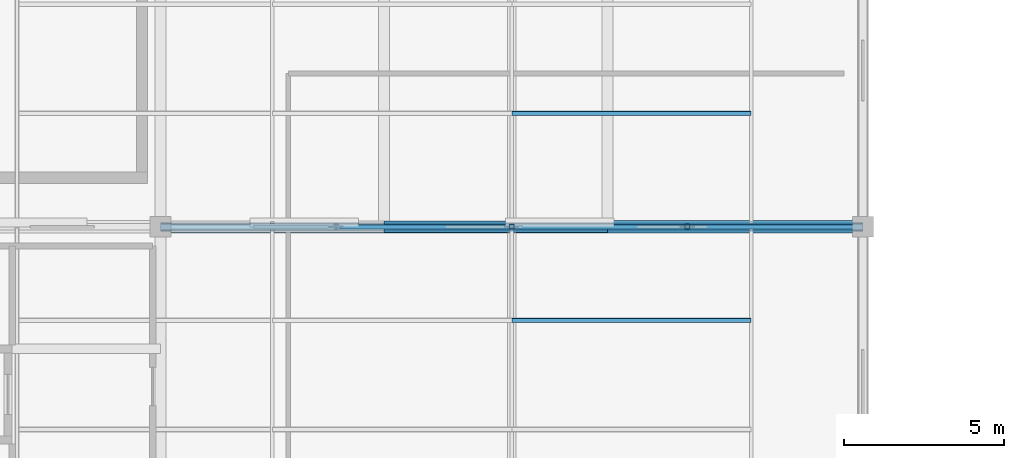
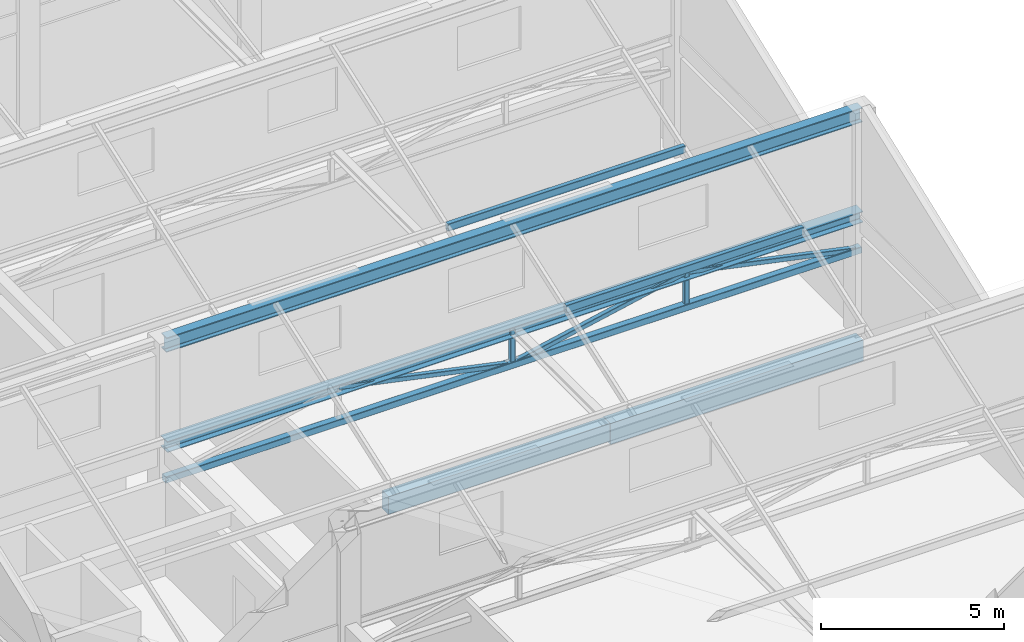
# One storey, part 21 of 35: 8 members, 4 beams.
"""IFC4 building model written with IfcOpenShell, lengths in metres."""

from ifc_helpers import new_model, si_unit, direction, frame, origin, origin_2d, place, context, subcontext, project, spatial, rectangle, hollow_rectangle, i_section, extrude, material, material_profile, profile_set, type_object, element, save


model = new_model("IFC4")

# Units and contexts
model_context = context("Model", 3, precision=1e-05, world=origin(), true_north=direction((0.0, 1.0)))
body_context = subcontext(model_context, "Body", "Model", "MODEL_VIEW")
ifc_project = project(units=[si_unit("LENGTHUNIT", "METRE"), si_unit("AREAUNIT", "SQUARE_METRE"), si_unit("VOLUMEUNIT", "CUBIC_METRE"), si_unit("PLANEANGLEUNIT", "RADIAN"), si_unit("MASSUNIT", "GRAM", prefix="KILO")], contexts=[model_context])

# Site, building, storey
site_placement = place(None, origin())
site = spatial("IfcSite", under=ifc_project, at=site_placement, CompositionType="ELEMENT")
building_placement = place(site_placement, origin())
building = spatial("IfcBuilding", under=site, at=building_placement, Name="Sillaruma Civic Art Gallery", CompositionType="ELEMENT")
storey_placement = place(building_placement, frame((0.0, 0.0, 74.4599609375)))
storey = spatial("IfcBuildingStorey", under=building, at=storey_placement, Name="L15", CompositionType="ELEMENT", Elevation=74.4599609375)

# Beams
ifc_material_1 = material(Name="Concrete H35 (35 MPa)", Category="concrete")
ifc_material_profile_1 = material_profile(ifc_material_1, rectangle(XDim=0.35009765625, YDim=0.60009765625, at=origin_2d()), Name="RCB350x600")
ifc_profile_set_1 = profile_set([ifc_material_profile_1], Name="Concrete H35 (35 MPa)")
beam_type_1 = type_object("IfcBeamType", Name="BM-BEAM-RCB350x600", PredefinedType="BEAM", material=ifc_profile_set_1)
beam_1_placement = place(storey_placement, frame((77.0, 79.199951171875, -0.550048828125), z_axis=(1.0, 0.0, 0.0), x_axis=(0.0, 1.0, 0.0)))
element("IfcBeam", 1, at=beam_1_placement, inside=storey, type_object=beam_type_1, Name="Beam BM-06 (L14:9:H-J)", PredefinedType="BEAM", context=body_context, shape_type="SweptSolid", body=[
    extrude(rectangle(XDim=0.35009765625, YDim=0.60009765625, at=origin_2d()), origin(), (0.0, 0.0, 1.0), 7.0),
])
ifc_material_profile_2 = material_profile(ifc_material_1, rectangle(XDim=0.39990234375, YDim=0.699951171875, at=origin_2d()), Name="RCB400x700")
ifc_profile_set_2 = profile_set([ifc_material_profile_2], Name="Concrete H35 (35 MPa)")
beam_type_2 = type_object("IfcBeamType", Name="BM-BEAM-RCB400x700", PredefinedType="BEAM", material=ifc_profile_set_2)
beam_2_placement = place(storey_placement, frame((84.0, 79.199951171875, -0.599853515625), z_axis=(1.0, 0.0, 0.0), x_axis=(0.0, 1.0, 0.0)))
element("IfcBeam", 2, at=beam_2_placement, inside=storey, type_object=beam_type_2, Name="Beam BM-04 (L14:9:J-K)", PredefinedType="BEAM", context=body_context, shape_type="SweptSolid", body=[
    extrude(rectangle(XDim=0.39990234375, YDim=0.699951171875, at=origin_2d()), origin(), (0.0, 0.0, 1.0), 8.0),
])
ifc_material_2 = material(Name="Structural Steel ASTM A992 Gr.50", Category="steel")
ifc_material_profile_3 = material_profile(ifc_material_2, i_section(OverallWidth=0.282958984375, OverallDepth=0.489013671875, WebThickness=0.01708984375, FlangeThickness=0.030517578125, FilletRadius=0.014892578125, at=origin_2d()), Name="W460x193")
ifc_profile_set_3 = profile_set([ifc_material_profile_3], Name="Structural Steel ASTM A992 Gr.50")
beam_type_3 = type_object("IfcBeamType", Name="BM-SAW-W460x193", PredefinedType="BEAM", material=ifc_profile_set_3)
beam_3_placement = place(storey_placement, frame((70.0, 79.199951171875, 7.239990234375), z_axis=(1.0, 0.0, 0.0), x_axis=(0.0, 1.0, 0.0)))
element("IfcBeam", 3, at=beam_3_placement, inside=storey, type_object=beam_type_3, Name="Sawtooth Ridge Steel Girder (4)", PredefinedType="BEAM", context=body_context, shape_type="SweptSolid", body=[
    extrude(i_section(OverallWidth=0.282958984375, OverallDepth=0.489013671875, WebThickness=0.01708984375, FlangeThickness=0.030517578125, FilletRadius=0.014892578125, at=origin_2d()), origin(), (0.0, 0.0, 1.0), 22.0),
])
ifc_material_profile_4 = material_profile(ifc_material_2, i_section(OverallWidth=0.37109375, OverallDepth=0.364013671875, WebThickness=0.01318359375, FlangeThickness=0.021728515625, FilletRadius=0.014892578125, at=origin_2d()), Name="W360x162")
ifc_profile_set_4 = profile_set([ifc_material_profile_4], Name="Structural Steel ASTM A992 Gr.50")
beam_type_4 = type_object("IfcBeamType", Name="BM-TRROF-W360x162", PredefinedType="BEAM", material=ifc_profile_set_4)
beam_4_placement = place(storey_placement, frame((70.0, 79.199951171875, 3.858154296875), z_axis=(1.0, 0.0, 0.0), x_axis=(0.0, 1.0, 0.0)))
element("IfcBeam", 4, at=beam_4_placement, inside=storey, type_object=beam_type_4, Name="Warren Truss Top Chord TR-L15-5", PredefinedType="BEAM", context=body_context, shape_type="SweptSolid", body=[
    extrude(i_section(OverallWidth=0.37109375, OverallDepth=0.364013671875, WebThickness=0.01318359375, FlangeThickness=0.021728515625, FilletRadius=0.014892578125, at=origin_2d()), origin(), (0.0, 0.0, 1.0), 22.0),
])

# Members
ifc_material_3 = material(Name="Structural Steel ASTM A500 Gr.C", Category="steel")
ifc_material_profile_5 = material_profile(ifc_material_3, hollow_rectangle(XDim=0.14990234375, YDim=0.14990234375, WallThickness=0.010009765625, InnerFilletRadius=0.010009765625, OuterFilletRadius=0.02001953125, at=origin_2d()), Name="HSS150x150x10")
ifc_profile_set_5 = profile_set([ifc_material_profile_5], Name="Structural Steel ASTM A500 Gr.C")
member_type_1 = type_object("IfcMemberType", Name="MEM-BRACE-HSS150x150x10", PredefinedType="BRACE", material=ifc_profile_set_5)
for number, where, z_axis, x_axis, name in (
    (5, (75.5, 79.199951171875, 3.858154296875), (0.978538722809, 0.0, -0.206063019398), (0.0, 1.0, 0.0), "Warren Truss Diagonal TR-L15-5-D2"),
    (6, (81.0, 79.199951171875, 2.699951171875), (0.978538722809, 0.0, 0.206063019398), (0.0, 1.0, 0.0), "Warren Truss Diagonal TR-L15-5-D3"),
    (7, (86.5, 79.199951171875, 3.858154296875), (0.978538722809, 0.0, -0.206063019398), (0.0, 1.0, 0.0), "Warren Truss Diagonal TR-L15-5-D4"),
):
    element("IfcMember", number, at=place(storey_placement, frame(where, z_axis=z_axis, x_axis=x_axis)), inside=storey, type_object=member_type_1, Name=name, PredefinedType="BRACE", context=body_context, shape_type="SweptSolid", body=[
        extrude(hollow_rectangle(XDim=0.14990234375, YDim=0.14990234375, WallThickness=0.010009765625, InnerFilletRadius=0.010009765625, OuterFilletRadius=0.02001953125, at=origin_2d()), origin(), (0.0, 0.0, 1.0), 5.62060546875),
    ])
ifc_material_profile_6 = material_profile(ifc_material_3, hollow_rectangle(XDim=0.219970703125, YDim=0.219970703125, WallThickness=0.012451171875, InnerFilletRadius=0.012451171875, OuterFilletRadius=0.02490234375, at=origin_2d()), Name="HSS220x220x12.5")
ifc_profile_set_6 = profile_set([ifc_material_profile_6], Name="Structural Steel ASTM A500 Gr.C")
member_type_2 = type_object("IfcMemberType", Name="MEM-CHORD-HSS220x220x12.5", PredefinedType="CHORD", material=ifc_profile_set_6)
member_placement = place(storey_placement, frame((70.0, 79.199951171875, 2.699951171875), z_axis=(1.0, 0.0, 0.0), x_axis=(0.0, 1.0, 0.0)))
element("IfcMember", 8, at=member_placement, inside=storey, type_object=member_type_2, Name="Warren Truss Bottom Chord TR-L15-5", PredefinedType="CHORD", context=body_context, shape_type="SweptSolid", body=[
    extrude(hollow_rectangle(XDim=0.219970703125, YDim=0.219970703125, WallThickness=0.012451171875, InnerFilletRadius=0.012451171875, OuterFilletRadius=0.02490234375, at=origin_2d()), origin(), (0.0, 0.0, 1.0), 22.0),
])
ifc_material_profile_7 = material_profile(ifc_material_3, hollow_rectangle(XDim=0.14990234375, YDim=0.14990234375, WallThickness=0.010009765625, InnerFilletRadius=0.010009765625, OuterFilletRadius=0.02001953125, at=origin_2d()), Name="HSS150x150x10")
ifc_profile_set_7 = profile_set([ifc_material_profile_7], Name="Structural Steel ASTM A500 Gr.C")
member_type_3 = type_object("IfcMemberType", Name="MEM-POST-HSS150x150x10", PredefinedType="POST", material=ifc_profile_set_7)
for number, where, z_axis, x_axis, name in (
    (9, (81.0, 79.199951171875, 2.699951171875), (0.0, 0.0, 1.0), (1.0, 0.0, 0.0), "Warren Truss Vertical Post TR-L15-5-V2"),
    (10, (86.5, 79.199951171875, 2.699951171875), (0.0, 0.0, 1.0), (1.0, 0.0, 0.0), "Warren Truss Vertical Post TR-L15-5-V3"),
):
    element("IfcMember", number, at=place(storey_placement, frame(where, z_axis=z_axis, x_axis=x_axis)), inside=storey, type_object=member_type_3, Name=name, PredefinedType="POST", context=body_context, shape_type="SweptSolid", body=[
        extrude(hollow_rectangle(XDim=0.14990234375, YDim=0.14990234375, WallThickness=0.010009765625, InnerFilletRadius=0.010009765625, OuterFilletRadius=0.02001953125, at=origin_2d()), origin(), (0.0, 0.0, 1.0), 1.158203125),
    ])
ifc_material_profile_8 = material_profile(ifc_material_3, hollow_rectangle(XDim=0.14990234375, YDim=0.25, WallThickness=0.010009765625, InnerFilletRadius=0.010009765625, OuterFilletRadius=0.02001953125, at=origin_2d()), Name="HSS250x150x10")
ifc_profile_set_8 = profile_set([ifc_material_profile_8], Name="Structural Steel ASTM A500 Gr.C")
member_type_4 = type_object("IfcMemberType", Name="MEM-PUR-HSS250", PredefinedType="PURLIN", material=ifc_profile_set_8)
for number, where, z_axis, x_axis, name in (
    (11, (81.0, 76.27197265625, 6.322021484375), (1.0, 0.0, 0.0), (0.0, 1.0, 0.0), "Sawtooth Roof Steel Purlin (4.2.3)"),
    (12, (81.0, 82.756103515625, 5.111083984375), (1.0, 0.0, 0.0), (0.0, 1.0, 0.0), "Sawtooth Roof Steel Purlin (5.1.3)"),
):
    element("IfcMember", number, at=place(storey_placement, frame(where, z_axis=z_axis, x_axis=x_axis)), inside=storey, type_object=member_type_4, Name=name, PredefinedType="PURLIN", context=body_context, shape_type="SweptSolid", body=[
        extrude(hollow_rectangle(XDim=0.14990234375, YDim=0.25, WallThickness=0.010009765625, InnerFilletRadius=0.010009765625, OuterFilletRadius=0.02001953125, at=origin_2d()), origin(), (0.0, 0.0, 1.0), 7.5),
    ])

save(model, "model.ifc")
